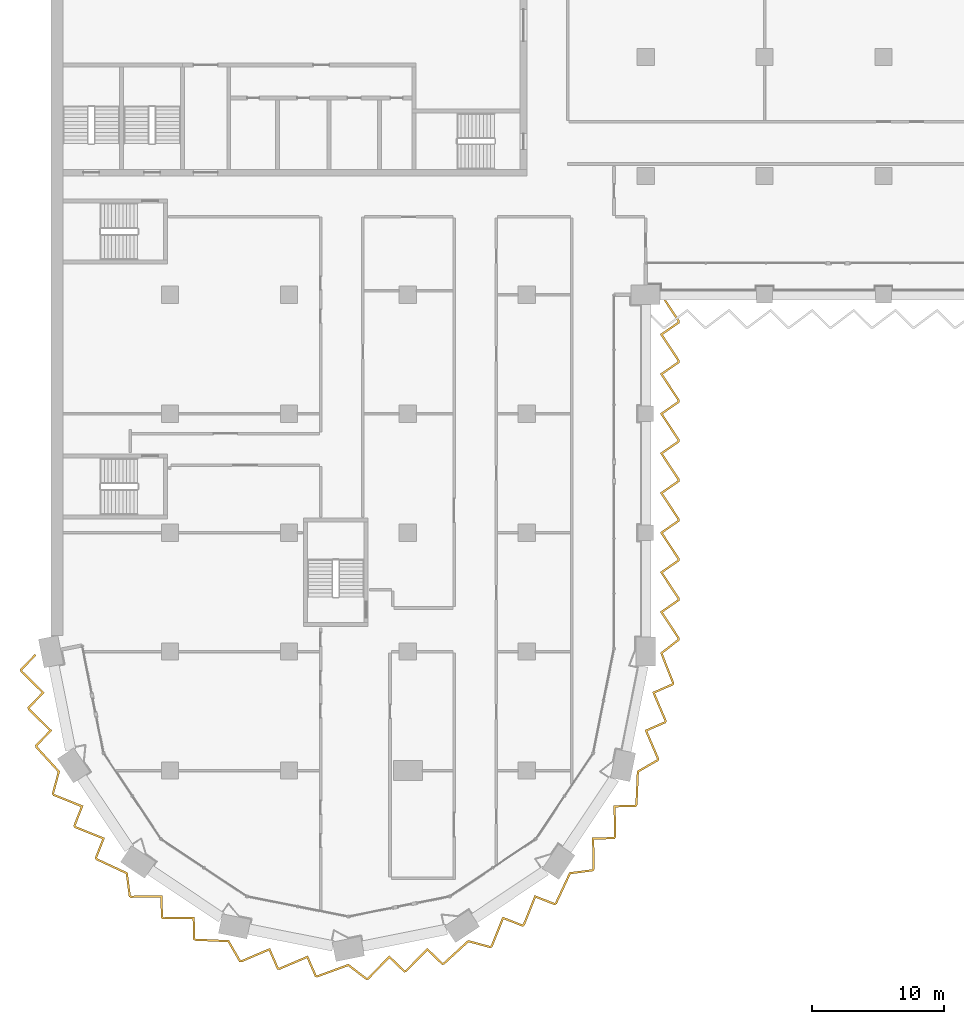
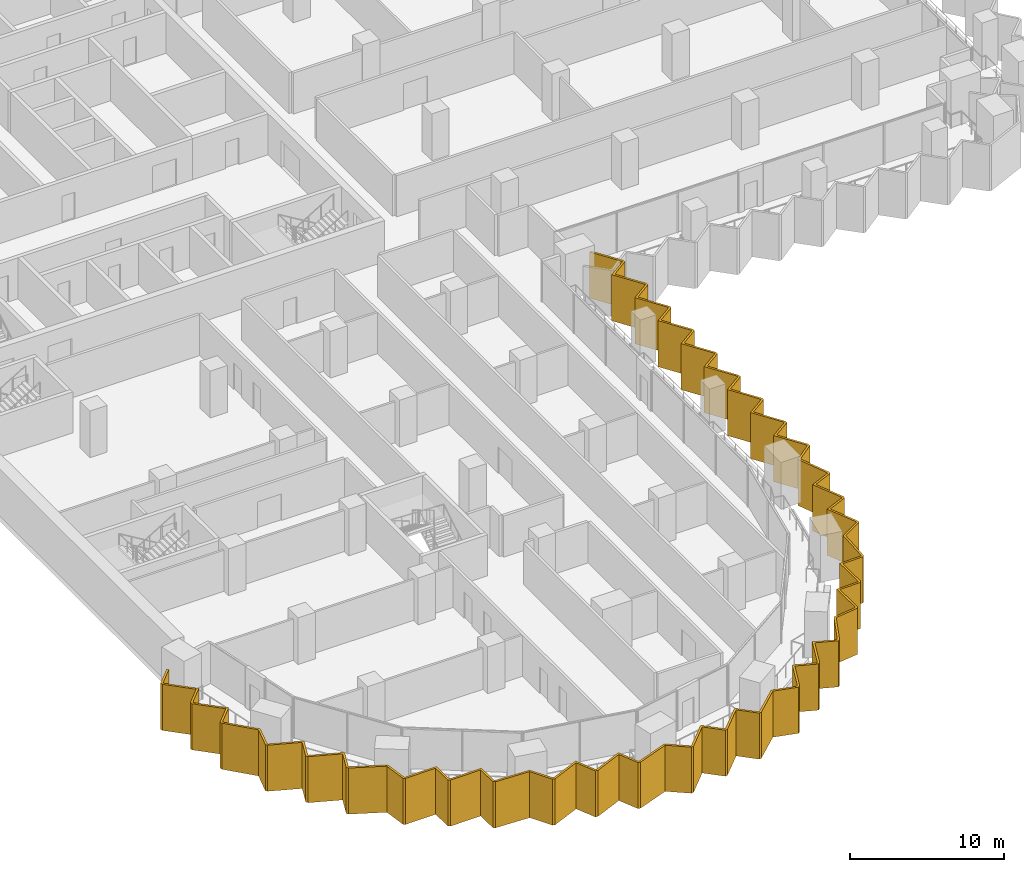
# One storey, part 19 of 23: 1 shading device.
"""IFC4 building model written with IfcOpenShell, lengths in metres."""

from ifc_helpers import new_model, si_unit, direction, frame, origin, place, context, subcontext, project, spatial, polyline, outline, extrude, material, layer, layer_set, type_object, element, save


model = new_model("IFC4")

# Units and contexts
model_context = context("Model", 3, precision=1e-05, world=origin(), true_north=direction((0.0, 1.0)))
body_context = subcontext(model_context, "Body", "Model", "MODEL_VIEW")
ifc_project = project(units=[si_unit("LENGTHUNIT", "METRE"), si_unit("AREAUNIT", "SQUARE_METRE"), si_unit("VOLUMEUNIT", "CUBIC_METRE"), si_unit("PLANEANGLEUNIT", "RADIAN"), si_unit("MASSUNIT", "GRAM", prefix="KILO")], contexts=[model_context])

# Site, building, storey
site_placement = place(None, origin())
site = spatial("IfcSite", under=ifc_project, at=site_placement, CompositionType="ELEMENT")
building_placement = place(site_placement, origin())
building = spatial("IfcBuilding", under=site, at=building_placement, Name="Hunhe Ridgeline Campus", CompositionType="ELEMENT")
storey_placement = place(building_placement, frame((0.0, 0.0, 125.5)))
storey = spatial("IfcBuildingStorey", under=building, at=storey_placement, Name="L31", CompositionType="ELEMENT", Elevation=125.5)

# Shading device
ifc_material = material(Name="Concrete C50", Category="concrete")
ifc_layer = layer(ifc_material, 0.14990234375)
ifc_layer_set = layer_set([ifc_layer], Name="Sawtooth concrete fin 150 Concrete C50")
shading_device_type = type_object("IfcShadingDeviceType", Name="Sawtooth concrete fin 150 Concrete C50", PredefinedType="USERDEFINED", material=ifc_layer_set)
shading_device_placement = place(storey_placement, frame((0.0, 0.0, -0.949951171875)))
element("IfcShadingDevice", 1, at=shading_device_placement, inside=storey, type_object=shading_device_type, Name="Concrete fin screen 1", ObjectType="FIN", PredefinedType="USERDEFINED", context=body_context, shape_type="SweptSolid", body=[
    extrude(outline(polyline([(-1.112060546875, 26.716064453125), (-1.219970703125, 26.820068359375), (-2.34619140625, 25.65283203125), (-2.310546875, 25.47412109375), (-0.70068359375, 23.896484375), (-1.775146484375, 22.78271484375), (-1.73974609375, 22.60400390625), (-0.1298828125, 21.0263671875), (-1.204345703125, 19.91259765625), (-1.169189453125, 19.73583984375), (0.509765625, 17.905517578125), (0.0634765625, 16.242919921875), (0.161865234375, 16.095703125), (2.2529296875, 15.254150390625), (1.6865234375, 13.814208984375), (1.787841796875, 13.662353515625), (3.878662109375, 12.821044921875), (3.312255859375, 11.380859375), (3.412353515625, 11.231201171875), (5.6640625, 10.182373046875), (5.887939453125, 8.475830078125), (6.035400390625, 8.377197265625), (8.2890625, 8.400146484375), (8.31689453125, 6.852783203125), (8.468505859375, 6.75146484375), (10.722412109375, 6.774169921875), (10.75, 5.22705078125), (10.89990234375, 5.126953125), (13.38134765625, 5.019775390625), (14.241455078125, 3.528564453125), (14.415283203125, 3.494140625), (16.48876953125, 4.377685546875), (17.1064453125, 2.958740234375), (17.285400390625, 2.923095703125), (19.35888671875, 3.806640625), (19.9765625, 2.387939453125), (20.1533203125, 2.352783203125), (22.487060546875, 3.203369140625), (23.852294921875, 2.15478515625), (24.02587890625, 2.189453125), (25.603515625, 3.79931640625), (26.71728515625, 2.724853515625), (26.89599609375, 2.76025390625), (28.4736328125, 4.3701171875), (29.58740234375, 3.295654296875), (29.76416015625, 3.330810546875), (31.594482421875, 5.009765625), (33.257080078125, 4.5634765625), (33.404296875, 4.661865234375), (34.245849609375, 6.7529296875), (35.685791015625, 6.1865234375), (35.837646484375, 6.287841796875), (36.678955078125, 8.378662109375), (38.119140625, 7.812255859375), (38.268798828125, 7.912353515625), (39.317626953125, 10.1640625), (41.024169921875, 10.387939453125), (41.122802734375, 10.535400390625), (41.099853515625, 12.7890625), (42.647216796875, 12.81689453125), (42.74853515625, 12.968505859375), (42.725830078125, 15.222412109375), (44.27294921875, 15.25), (44.373046875, 15.39990234375), (44.480224609375, 17.88134765625), (45.971435546875, 18.741455078125), (46.005859375, 18.915283203125), (45.122314453125, 20.98876953125), (46.541259765625, 21.6064453125), (46.576904296875, 21.785400390625), (45.693359375, 23.85888671875), (47.112060546875, 24.4765625), (47.1474609375, 24.654296875), (46.279052734375, 26.8583984375), (47.56396484375, 27.8662109375), (47.56396484375, 28.045166015625), (46.291748046875, 29.97998046875), (47.56396484375, 30.863525390625), (47.56396484375, 31.045166015625), (46.291748046875, 32.97998046875), (47.56396484375, 33.863525390625), (47.56396484375, 34.045166015625), (46.291748046875, 35.97998046875), (47.56396484375, 36.863525390625), (47.56396484375, 37.045166015625), (46.291748046875, 38.97998046875), (47.56396484375, 39.863525390625), (47.56396484375, 40.045166015625), (46.291748046875, 41.97998046875), (47.56396484375, 42.863525390625), (47.56396484375, 43.045166015625), (46.291748046875, 44.97998046875), (47.56396484375, 45.863525390625), (47.56396484375, 46.045166015625), (46.291748046875, 47.97998046875), (47.56396484375, 48.863525390625), (47.56396484375, 49.045166015625), (46.291748046875, 50.97998046875), (47.56396484375, 51.863525390625), (47.56396484375, 52.045166015625), (46.25146484375, 54.041259765625), (46.126220703125, 53.958740234375), (47.413818359375, 52.000244140625), (47.413818359375, 51.94189453125), (46.0859375, 51.02001953125), (47.413818359375, 49.000244140625), (47.413818359375, 48.94189453125), (46.0859375, 48.02001953125), (47.413818359375, 46.000244140625), (47.413818359375, 45.94189453125), (46.0859375, 45.02001953125), (47.413818359375, 43.000244140625), (47.413818359375, 42.94189453125), (46.0859375, 42.02001953125), (47.413818359375, 40.000244140625), (47.413818359375, 39.94189453125), (46.0859375, 39.02001953125), (47.413818359375, 37.000244140625), (47.413818359375, 36.94189453125), (46.0859375, 36.02001953125), (47.413818359375, 34.000244140625), (47.413818359375, 33.94189453125), (46.0859375, 33.02001953125), (47.413818359375, 31.000244140625), (47.413818359375, 30.94189453125), (46.0859375, 30.02001953125), (47.413818359375, 28.000244140625), (47.413818359375, 27.939208984375), (46.0986328125, 26.907470703125), (46.99169921875, 24.640380859375), (46.980224609375, 24.582763671875), (45.496826171875, 23.93701171875), (46.420654296875, 21.76904296875), (46.409423828125, 21.712646484375), (44.926025390625, 21.06689453125), (45.849853515625, 18.89892578125), (45.83740234375, 18.83740234375), (44.333984375, 17.97021484375), (44.22509765625, 15.4482421875), (44.19189453125, 15.3984375), (42.57421875, 15.36962890625), (42.59814453125, 13.01318359375), (42.566162109375, 12.96533203125), (40.948486328125, 12.9365234375), (40.97216796875, 10.580078125), (40.937255859375, 10.52783203125), (39.21630859375, 10.302001953125), (38.150634765625, 8.013671875), (38.10107421875, 7.98046875), (36.595458984375, 8.57275390625), (35.715576171875, 6.38671875), (35.667724609375, 6.354736328125), (34.162353515625, 6.947021484375), (33.282470703125, 4.760986328125), (33.230224609375, 4.72607421875), (31.553955078125, 5.176025390625), (29.693603515625, 3.4697265625), (29.635009765625, 3.4580078125), (28.470703125, 4.58154296875), (26.8212890625, 2.8984375), (26.764892578125, 2.88720703125), (25.6005859375, 4.010498046875), (23.951171875, 2.32763671875), (23.8896484375, 2.315185546875), (22.512939453125, 3.372314453125), (20.141357421875, 2.508056640625), (20.082763671875, 2.519775390625), (19.43701171875, 4.003173828125), (17.26904296875, 3.079345703125), (17.212646484375, 3.090576171875), (16.56689453125, 4.573974609375), (14.39892578125, 3.650146484375), (14.33740234375, 3.66259765625), (13.47021484375, 5.166015625), (10.9482421875, 5.27490234375), (10.8984375, 5.30810546875), (10.86962890625, 6.92578125), (8.51318359375, 6.90185546875), (8.46533203125, 6.933837890625), (8.4365234375, 8.551513671875), (6.080078125, 8.52783203125), (6.02783203125, 8.562744140625), (5.802001953125, 10.28369140625), (3.513671875, 11.349365234375), (3.48046875, 11.39892578125), (4.07275390625, 12.904541015625), (1.88671875, 13.784423828125), (1.854736328125, 13.832275390625), (2.447021484375, 15.337646484375), (0.260986328125, 16.217529296875), (0.22607421875, 16.269775390625), (0.676025390625, 17.946044921875), (-1.0302734375, 19.806396484375), (-1.0419921875, 19.864990234375), (0.08154296875, 21.029296875), (-1.6015625, 22.6787109375), (-1.61279296875, 22.735107421875), (-0.489501953125, 23.8994140625), (-2.17236328125, 25.548828125), (-2.183837890625, 25.605224609375), (-1.112060546875, 26.716064453125)])), origin(), (0.0, 0.0, 1.0), 3.64990234375),
])

save(model, "model.ifc")
